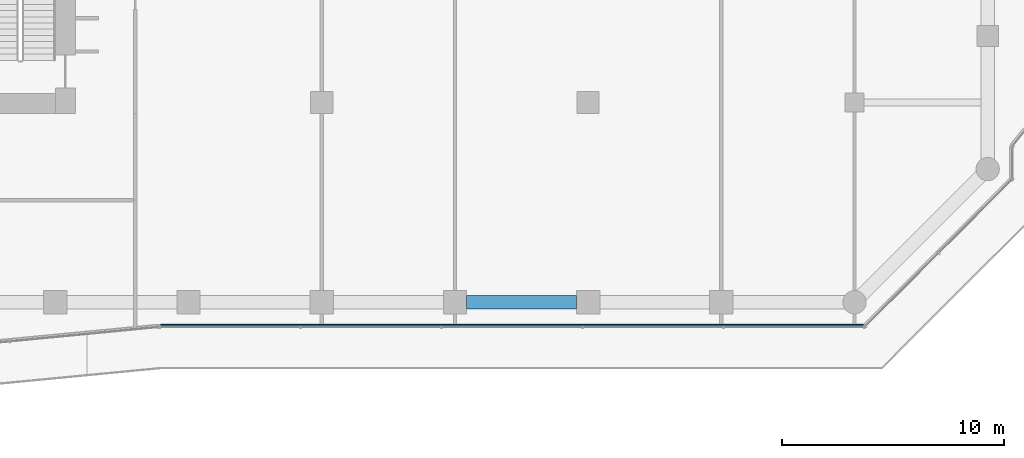
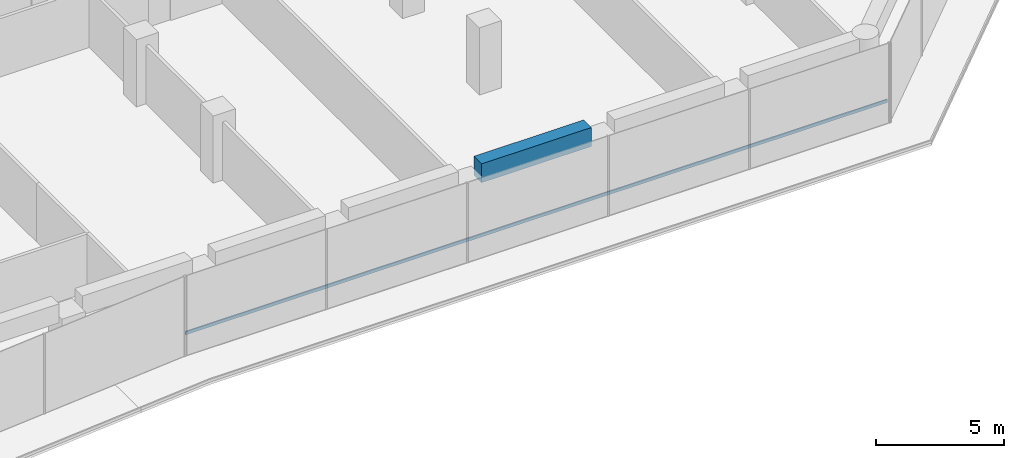
# One storey, part 7 of 30: 1 beam, 1 member, 1 element without a shape of its own.
"""IFC4 building model written with IfcOpenShell, lengths in metres."""

from ifc_helpers import new_model, si_unit, direction, frame, origin, origin_2d, place, context, subcontext, project, spatial, rectangle, extrude, material, layer, layer_set, material_profile, profile_set, type_object, element, aggregate, save


model = new_model("IFC4")

# Units and contexts
model_context = context("Model", 3, precision=1e-05, world=origin(), true_north=direction((0.0, 1.0)))
body_context = subcontext(model_context, "Body", "Model", "MODEL_VIEW")
ifc_project = project(units=[si_unit("LENGTHUNIT", "METRE"), si_unit("AREAUNIT", "SQUARE_METRE"), si_unit("VOLUMEUNIT", "CUBIC_METRE"), si_unit("PLANEANGLEUNIT", "RADIAN"), si_unit("MASSUNIT", "GRAM", prefix="KILO")], contexts=[model_context])

# Site, building, storey
site_placement = place(None, origin())
site = spatial("IfcSite", under=ifc_project, at=site_placement, CompositionType="ELEMENT")
building_placement = place(site_placement, origin())
building = spatial("IfcBuilding", under=site, at=building_placement, Name="Welwitschia Terrace Campus", CompositionType="ELEMENT")
storey_placement = place(building_placement, frame((0.0, 0.0, 75.199951171875)))
storey = spatial("IfcBuildingStorey", under=building, at=storey_placement, Name="L17", CompositionType="ELEMENT", Elevation=75.199951171875)

# Beam
ifc_material_1 = material(Name="Concrete C60/75", Category="concrete")
ifc_material_profile_1 = material_profile(ifc_material_1, rectangle(XDim=0.60009765625, YDim=0.89990234375, at=origin_2d()))
ifc_profile_set_1 = profile_set([ifc_material_profile_1], Name="Concrete C60/75")
beam_type = type_object("IfcBeamType", Name="Ring spandrel 600x900", PredefinedType="SPANDREL", material=ifc_profile_set_1)
beam_placement = place(storey_placement, frame((42.525390625, -4.0, 3.35009765625), z_axis=(1.0, 0.0, 0.0), x_axis=(0.0, 1.0, 0.0)))
element("IfcBeam", 1, at=beam_placement, inside=storey, type_object=beam_type, Name="Spandrel SP2", PredefinedType="SPANDREL", context=body_context, shape_type="SweptSolid", body=[
    extrude(rectangle(XDim=0.60009765625, YDim=0.89990234375, at=origin_2d()), origin(), (0.0, 0.0, 1.0), 4.94921875),
])

# Curtain wall, member
ifc_material_2 = material(Name="Bronze anodised aluminium", Category="aluminium")
ifc_layer = layer(ifc_material_2, 0.1201171875)
ifc_layer_set = layer_set([ifc_layer], Name="Bronze anodised aluminium")
curtain_wall_type = type_object("IfcCurtainWallType", Name="Curtain wall CW2 tower 6000", PredefinedType="NOTDEFINED", material=ifc_layer_set)
curtain_wall_placement = place(storey_placement, origin())
curtain_wall = element("IfcCurtainWall", 2, at=curtain_wall_placement, inside=storey, type_object=curtain_wall_type, Name="CW L17.3.0", PredefinedType="NOTDEFINED")
ifc_material_3 = material(Name="Bronze anodised aluminium", Category="aluminium")
ifc_material_profile_2 = material_profile(ifc_material_3, rectangle(XDim=0.06005859375, YDim=0.14990234375, at=origin_2d()))
ifc_profile_set_2 = profile_set([ifc_material_profile_2], Name="Bronze anodised aluminium")
member_type = type_object("IfcMemberType", Name="Transom 60x150", PredefinedType="USERDEFINED", material=ifc_profile_set_2)
member_placement = place(storey_placement, frame((28.74072265625, -5.02392578125, 1.0), z_axis=(1.0, 0.0, 0.0), x_axis=(0.0, 1.0, 0.0)))
member = element("IfcMember", 3, at=member_placement, type_object=member_type, Name="Transom L17.3.0", ObjectType="TRANSOM", PredefinedType="USERDEFINED", context=body_context, shape_type="SweptSolid", body=[
    extrude(rectangle(XDim=0.06005859375, YDim=0.14990234375, at=origin_2d()), origin(), (0.0, 0.0, 1.0), 31.66064453125),
])
aggregate(curtain_wall, [member])

save(model, "model.ifc")
